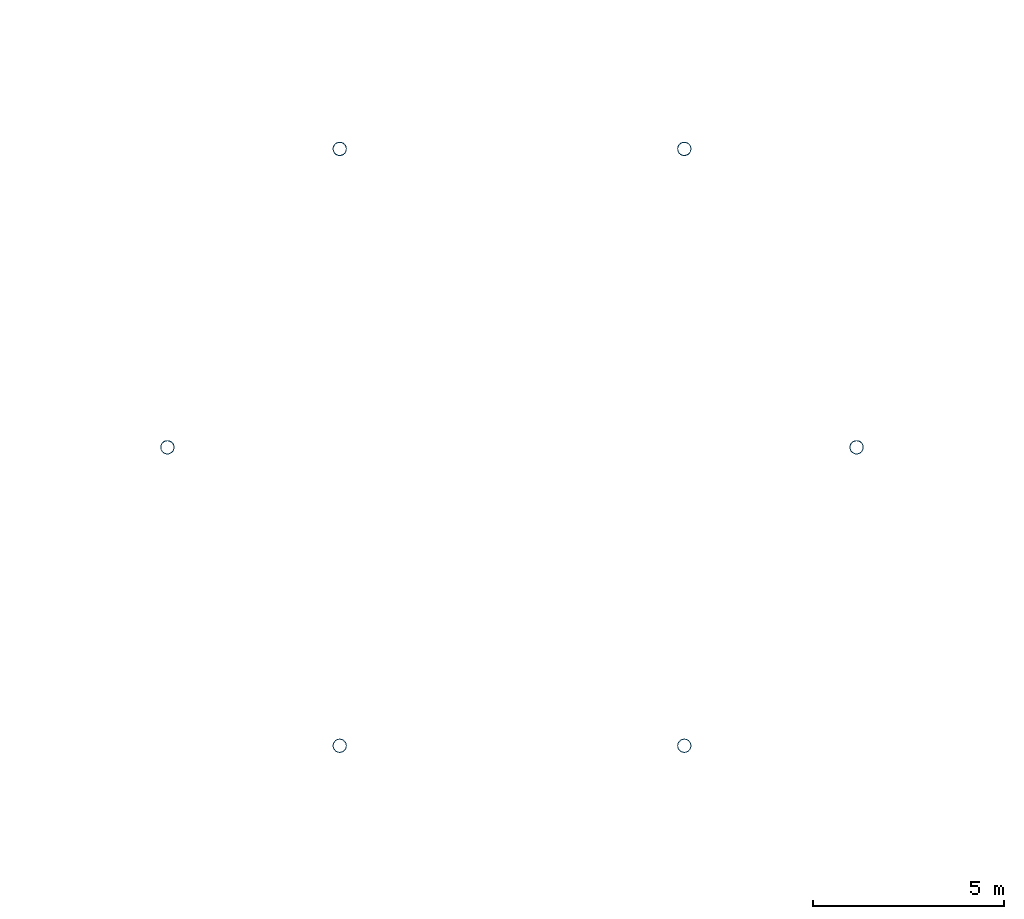
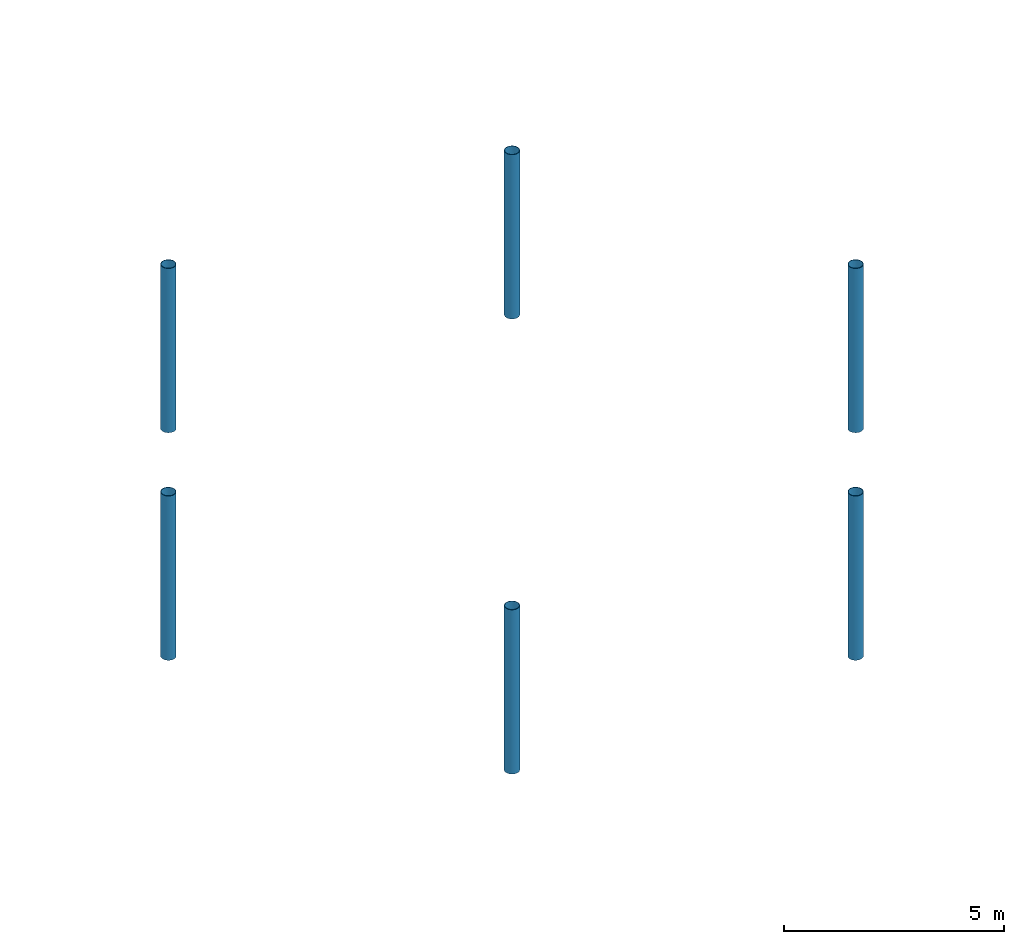
# One storey, part 7 of 133: 6 columns.
"""IFC4 building model written with IfcOpenShell, lengths in metres."""

from ifc_helpers import new_model, si_unit, direction, frame, origin, origin_2d, place, context, subcontext, project, spatial, hollow_circle, extrude, material, material_profile, profile_set, type_object, element, save


model = new_model("IFC4")

# Units and contexts
model_context = context("Model", 3, precision=1e-05, world=origin(), true_north=direction((0.0, 1.0)))
body_context = subcontext(model_context, "Body", "Model", "MODEL_VIEW")
ifc_project = project(units=[si_unit("LENGTHUNIT", "METRE"), si_unit("AREAUNIT", "SQUARE_METRE"), si_unit("VOLUMEUNIT", "CUBIC_METRE"), si_unit("PLANEANGLEUNIT", "RADIAN"), si_unit("MASSUNIT", "GRAM", prefix="KILO")], contexts=[model_context])

# Site, building, storey
site_placement = place(None, origin())
site = spatial("IfcSite", under=ifc_project, at=site_placement, CompositionType="ELEMENT")
building_placement = place(site_placement, origin())
building = spatial("IfcBuilding", under=site, at=building_placement, Name="Almandine Court Research Institute", CompositionType="ELEMENT")
storey_placement = place(building_placement, frame((0.0, 0.0, 9.800048828125)))
storey = spatial("IfcBuildingStorey", under=building, at=storey_placement, Name="L02", CompositionType="ELEMENT", Elevation=9.800048828125)

# Columns
ifc_material = material(Name="Steel ASTM A500 Grade C", Category="steel")
ifc_material_profile = material_profile(ifc_material, hollow_circle(Radius=0.177978515625, WallThickness=0.011962890625, at=origin_2d()), Name="CHS 356x12")
ifc_profile_set = profile_set([ifc_material_profile], Name="Steel ASTM A500 Grade C")
column_type = type_object("IfcColumnType", Name="Col-C-AT1", PredefinedType="COLUMN", material=ifc_profile_set)
for number, where, z_axis, x_axis, name in (
    (1, (96.0, 56.0, 0.0), (0.0, 0.0, 1.0), (1.0, 0.0, 0.0), "L02 V2-IN Column V2-OCU-C1"),
    (2, (91.5, 63.7939453125, 0.0), (0.0, 0.0, 1.0), (1.0, 0.0, 0.0), "L02 V2-IN Column V2-OCU-C2"),
    (3, (82.5, 63.7939453125, 0.0), (0.0, 0.0, 1.0), (1.0, 0.0, 0.0), "L02 V2-IN Column V2-OCU-C3"),
    (4, (78.0, 56.0, 0.0), (0.0, 0.0, 1.0), (1.0, 0.0, 0.0), "L02 V2-IN Column V2-OCU-C4"),
    (5, (82.5, 48.2060546875, 0.0), (0.0, 0.0, 1.0), (1.0, 0.0, 0.0), "L02 V2-IN Column V2-OCU-C5"),
    (6, (91.5, 48.2060546875, 0.0), (0.0, 0.0, 1.0), (1.0, 0.0, 0.0), "L02 V2-IN Column V2-OCU-C6"),
):
    element("IfcColumn", number, at=place(storey_placement, frame(where, z_axis=z_axis, x_axis=x_axis)), inside=storey, type_object=column_type, Name=name, PredefinedType="COLUMN", context=body_context, shape_type="SweptSolid", body=[
        extrude(hollow_circle(Radius=0.177978515625, WallThickness=0.011962890625, at=origin_2d()), origin(), (0.0, 0.0, 1.0), 4.550048828125),
    ])

save(model, "model.ifc")
